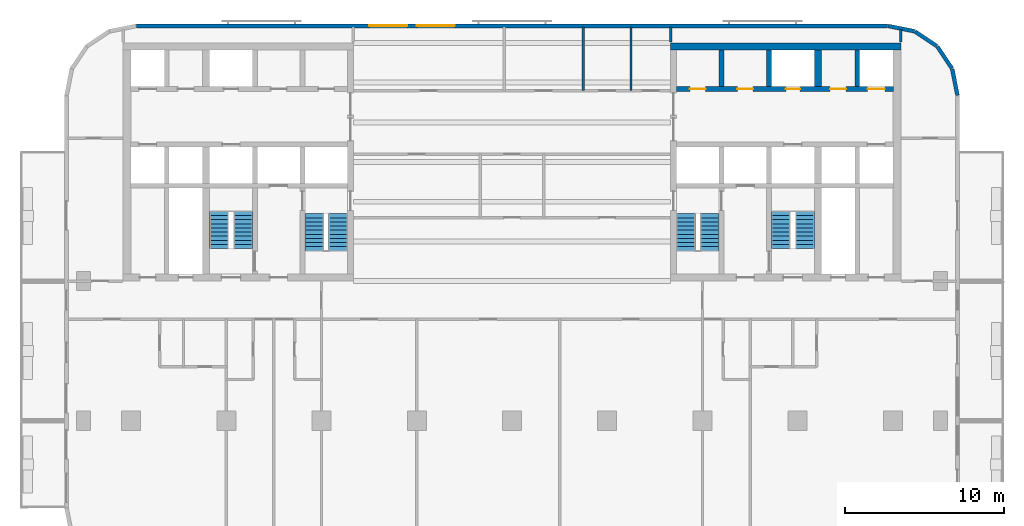
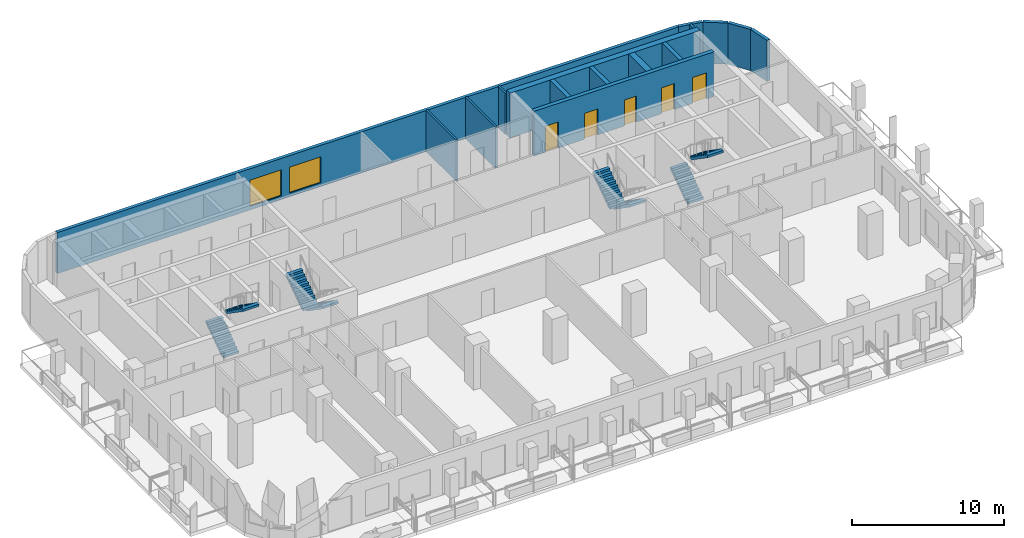
# One storey, part 7 of 11: 15 walls, 8 stair flights, 5 doors, 2 windows, 7 openings, 4 elements without a shape of their own.
"""IFC4 building model written with IfcOpenShell, lengths in metres."""

from ifc_helpers import new_model, si_unit, direction, frame, frame_2d, origin, place, context, subcontext, project, spatial, polyline, rectangle, outline, extrude, material, layer, layer_set, type_object, element, fill, aggregate, save


model = new_model("IFC4")

# Units and contexts
model_context = context("Model", 3, precision=1e-05, world=origin(), true_north=direction((0.0, 1.0)))
body_context = subcontext(model_context, "Body", "Model", "MODEL_VIEW")
ifc_project = project(units=[si_unit("LENGTHUNIT", "METRE"), si_unit("AREAUNIT", "SQUARE_METRE"), si_unit("VOLUMEUNIT", "CUBIC_METRE"), si_unit("PLANEANGLEUNIT", "RADIAN"), si_unit("MASSUNIT", "GRAM", prefix="KILO")], contexts=[model_context])

# Site, building, storey
site_placement = place(None, origin())
site = spatial("IfcSite", under=ifc_project, at=site_placement, CompositionType="ELEMENT")
building_placement = place(site_placement, origin())
building = spatial("IfcBuilding", under=site, at=building_placement, Name="Torana Hotel and Residences", CompositionType="ELEMENT")
storey_placement = place(building_placement, frame((0.0, 0.0, 141.60009765625)))
storey = spatial("IfcBuildingStorey", under=building, at=storey_placement, Name="L36", CompositionType="ELEMENT", Elevation=141.60009765625)

# Wall, openings, doors
ifc_material_1 = material(Name="Concrete C70/85", Category="concrete")
ifc_layer_1 = layer(ifc_material_1, 0.300048828125)
ifc_layer_set_1 = layer_set([ifc_layer_1], Name="CORE WALL 300 C70/85")
wall_type_1 = type_object("IfcWallType", Name="CORE WALL 300 C70/85", PredefinedType="SHEAR", material=ifc_layer_set_1)
wall_1_placement = place(storey_placement, frame((10.35009765625, -2.89990234375, 0.0), z_axis=(0.0, 0.0, 1.0), x_axis=(1.0, 0.0, 0.0)))
wall_1 = element("IfcWall", 1, at=wall_1_placement, inside=storey, type_object=wall_type_1, Name="Core wall E row-N", PredefinedType="SHEAR", context=body_context, shape_type="SweptSolid", body=[
    extrude(rectangle(XDim=13.699951171875, YDim=0.300048828125, at=frame_2d((6.85009765625, 0.0))), origin(), (0.0, 0.0, 1.0), 3.599853515625),
])
opening_1_placement = place(wall_1_placement, frame((12.050048828125, 0.0, 0.0)))
opening_1 = element("IfcOpeningElement", 2, at=opening_1_placement, cuts=wall_1, Name="Opening LD", PredefinedType="OPENING", context=body_context, shape_type="SweptSolid", body=[
    extrude(rectangle(XDim=1.10009765625, YDim=2.10009765625, at=frame_2d((0.550048828125, 1.050048828125))), frame((0.0, 0.159912109375, 0.0), z_axis=(0.0, -1.0, 0.0), x_axis=(1.0, 0.0, 0.0)), (0.0, 0.0, 1.0), 0.320068359375),
])
opening_2_placement = place(wall_1_placement, frame((6.89990234375, 0.0, 0.0)))
opening_2 = element("IfcOpeningElement", 3, at=opening_2_placement, cuts=wall_1, Name="Opening L36-21", PredefinedType="OPENING", context=body_context, shape_type="SweptSolid", body=[
    extrude(rectangle(XDim=0.89990234375, YDim=2.10009765625, at=frame_2d((0.449951171875, 1.050048828125))), frame((0.0, 0.159912109375, 0.0), z_axis=(0.0, -1.0, 0.0), x_axis=(1.0, 0.0, 0.0)), (0.0, 0.0, 1.0), 0.320068359375),
])
opening_3_placement = place(wall_1_placement, frame((0.85009765625, 0.0, 0.0)))
opening_3 = element("IfcOpeningElement", 4, at=opening_3_placement, cuts=wall_1, Name="Opening L36-22", PredefinedType="OPENING", context=body_context, shape_type="SweptSolid", body=[
    extrude(rectangle(XDim=1.0, YDim=2.10009765625, at=frame_2d((0.5, 1.050048828125))), frame((0.0, 0.159912109375, 0.0), z_axis=(0.0, -1.0, 0.0), x_axis=(1.0, 0.0, 0.0)), (0.0, 0.0, 1.0), 0.320068359375),
])
opening_4_placement = place(wall_1_placement, frame((3.85009765625, 0.0, 0.0)))
opening_4 = element("IfcOpeningElement", 5, at=opening_4_placement, cuts=wall_1, Name="Opening L36-23", PredefinedType="OPENING", context=body_context, shape_type="SweptSolid", body=[
    extrude(rectangle(XDim=1.0, YDim=2.10009765625, at=frame_2d((0.5, 1.050048828125))), frame((0.0, 0.159912109375, 0.0), z_axis=(0.0, -1.0, 0.0), x_axis=(1.0, 0.0, 0.0)), (0.0, 0.0, 1.0), 0.320068359375),
])
opening_5_placement = place(wall_1_placement, frame((9.699951171875, 0.0, 0.0)))
opening_5 = element("IfcOpeningElement", 6, at=opening_5_placement, cuts=wall_1, Name="Opening L36-24", PredefinedType="OPENING", context=body_context, shape_type="SweptSolid", body=[
    extrude(rectangle(XDim=1.0, YDim=2.10009765625, at=frame_2d((0.5, 1.050048828125))), frame((0.0, 0.159912109375, 0.0), z_axis=(0.0, -1.0, 0.0), x_axis=(1.0, 0.0, 0.0)), (0.0, 0.0, 1.0), 0.320068359375),
])
ifc_material_2 = material(Name="Steel S235", Category="steel")
door_type_1 = type_object("IfcDoorType", Name="CORE ROOM FIRE DOOR D14 1000x2100", OperationType="SINGLE_SWING_LEFT", PredefinedType="DOOR", material=ifc_material_2)
door_1_placement = place(opening_3_placement, origin())
door_1 = element("IfcDoor", 7, at=door_1_placement, inside=storey, type_object=door_type_1, Name="N0 door L36", OperationType="SINGLE_SWING_RIGHT", OverallHeight=2.10009765625, OverallWidth=1.0, PredefinedType="DOOR", context=body_context, shape_type="SweptSolid", body=[
    extrude(rectangle(XDim=1.0, YDim=2.10009765625, at=frame_2d((0.5, 1.050048828125))), frame((0.0, 0.02490234375, 0.0), z_axis=(0.0, -1.0, 0.0), x_axis=(1.0, 0.0, 0.0)), (0.0, 0.0, 1.0), 0.050048828125),
])
fill(opening_3, door_1)
door_2_placement = place(opening_4_placement, origin())
door_2 = element("IfcDoor", 8, at=door_2_placement, inside=storey, type_object=door_type_1, Name="N1 door L36", OperationType="SINGLE_SWING_RIGHT", OverallHeight=2.10009765625, OverallWidth=1.0, PredefinedType="DOOR", context=body_context, shape_type="SweptSolid", body=[
    extrude(rectangle(XDim=1.0, YDim=2.10009765625, at=frame_2d((0.5, 1.050048828125))), frame((0.0, 0.02490234375, 0.0), z_axis=(0.0, -1.0, 0.0), x_axis=(1.0, 0.0, 0.0)), (0.0, 0.0, 1.0), 0.050048828125),
])
fill(opening_4, door_2)
door_3_placement = place(opening_5_placement, origin())
door_3 = element("IfcDoor", 9, at=door_3_placement, inside=storey, type_object=door_type_1, Name="Freed-S2 door L36", OperationType="SINGLE_SWING_RIGHT", OverallHeight=2.10009765625, OverallWidth=1.0, PredefinedType="DOOR", context=body_context, shape_type="SweptSolid", body=[
    extrude(rectangle(XDim=1.0, YDim=2.10009765625, at=frame_2d((0.5, 1.050048828125))), frame((0.0, 0.02490234375, 0.0), z_axis=(0.0, -1.0, 0.0), x_axis=(1.0, 0.0, 0.0)), (0.0, 0.0, 1.0), 0.050048828125),
])
fill(opening_5, door_3)
ifc_material_3 = material(Name="Stainless steel 316", Category="steel")
door_type_2 = type_object("IfcDoorType", Name="LIFT LANDING DOOR LD 1100x2100", OperationType="DOUBLE_DOOR_SLIDING", PredefinedType="USERDEFINED", material=ifc_material_3)
door_4_placement = place(opening_1_placement, origin())
door_4 = element("IfcDoor", 10, at=door_4_placement, inside=storey, type_object=door_type_2, Name="Lift landing door M3 L36", ObjectType="LIFT LANDING DOOR", OperationType="DOUBLE_DOOR_SLIDING", OverallHeight=2.10009765625, OverallWidth=1.10009765625, PredefinedType="USERDEFINED", context=body_context, shape_type="SweptSolid", body=[
    extrude(rectangle(XDim=1.10009765625, YDim=2.10009765625, at=frame_2d((0.550048828125, 1.050048828125))), frame((0.0, 0.02490234375, 0.0), z_axis=(0.0, -1.0, 0.0), x_axis=(1.0, 0.0, 0.0)), (0.0, 0.0, 1.0), 0.050048828125),
])
fill(opening_1, door_4)
ifc_material_4 = material(Name="Steel S235", Category="steel")
door_type_3 = type_object("IfcDoorType", Name="RISER ACCESS DOOR D5 900x2100", OperationType="SINGLE_SWING_LEFT", PredefinedType="DOOR", material=ifc_material_4)
door_5_placement = place(opening_2_placement, origin())
door_5 = element("IfcDoor", 11, at=door_5_placement, inside=storey, type_object=door_type_3, Name="N2 door L36", OperationType="SINGLE_SWING_RIGHT", OverallHeight=2.10009765625, OverallWidth=0.89990234375, PredefinedType="DOOR", context=body_context, shape_type="SweptSolid", body=[
    extrude(rectangle(XDim=0.89990234375, YDim=2.10009765625, at=frame_2d((0.449951171875, 1.050048828125))), frame((0.0, 0.02490234375, 0.0), z_axis=(0.0, -1.0, 0.0), x_axis=(1.0, 0.0, 0.0)), (0.0, 0.0, 1.0), 0.050048828125),
])
fill(opening_2, door_5)

# Walls
for number, where, z_axis, x_axis, name in (
    (12, (13.199951171875, -2.75, 0.0), (0.0, 0.0, 1.0), (0.0, 1.0, 0.0), "Core wall E x3.05-N"),
    (13, (16.199951171875, -2.75, 0.0), (0.0, 0.0, 1.0), (0.0, 1.0, 0.0), "Core wall E x6.05-N"),
    (14, (21.75, -2.75, 0.0), (0.0, 0.0, 1.0), (0.0, 1.0, 0.0), "Core wall E mm-N"),
):
    element("IfcWall", number, at=place(storey_placement, frame(where, z_axis=z_axis, x_axis=x_axis)), inside=storey, type_object=wall_type_1, Name=name, PredefinedType="SHEAR", context=body_context, shape_type="SweptSolid", body=[
        extrude(rectangle(XDim=2.300048828125, YDim=0.300048828125, at=frame_2d((1.14990234375, 0.0))), origin(), (0.0, 0.0, 1.0), 3.599853515625),
    ])
ifc_material_5 = material(Name="Concrete C70/85", Category="concrete")
ifc_layer_2 = layer(ifc_material_5, 0.449951171875)
ifc_layer_set_2 = layer_set([ifc_layer_2], Name="CORE WALL 450 C70/85")
wall_type_2 = type_object("IfcWallType", Name="CORE WALL 450 C70/85", PredefinedType="SHEAR", material=ifc_layer_set_2)
wall_2_placement = place(storey_placement, frame((10.0, -0.22509765625, 0.0), z_axis=(0.0, 0.0, 1.0), x_axis=(1.0, 0.0, 0.0)))
element("IfcWall", 15, at=wall_2_placement, inside=storey, type_object=wall_type_2, Name="Core wall E rear", PredefinedType="SHEAR", context=body_context, shape_type="SweptSolid", body=[
    extrude(rectangle(XDim=14.5, YDim=0.449951171875, at=frame_2d((7.25, 0.0))), origin(), (0.0, 0.0, 1.0), 3.599853515625),
])
wall_3_placement = place(storey_placement, frame((19.27490234375, -2.75, 0.0), z_axis=(0.0, 0.0, 1.0), x_axis=(0.0, 1.0, 0.0)))
element("IfcWall", 16, at=wall_3_placement, inside=storey, type_object=wall_type_2, Name="Core wall E hm-N", PredefinedType="SHEAR", context=body_context, shape_type="SweptSolid", body=[
    extrude(rectangle(XDim=2.300048828125, YDim=0.449951171875, at=frame_2d((1.14990234375, 0.0))), origin(), (0.0, 0.0, 1.0), 3.599853515625),
])
ifc_material_6 = material(Name="Black aluminium composite panel", Category="aluminium")
ifc_layer_3 = layer(ifc_material_6, 0.00390625, Name="Cladding", Category="cladding")
ifc_material_7 = material(Name="Ventilated air cavity")
ifc_layer_4 = layer(ifc_material_7, 0.0400390625, Name="Ventilated cavity", Category="cavity")
ifc_material_8 = material(Name="Mineral wool insulation")
ifc_layer_5 = layer(ifc_material_8, 0.090087890625, Name="Insulation", Category="insulation")
ifc_material_9 = material(Name="Steel S280GD", Category="steel")
ifc_layer_6 = layer(ifc_material_9, 0.092041015625, Name="Steel stud frame", Category="structure")
ifc_material_10 = material(Name="Fire rated plasterboard")
ifc_layer_7 = layer(ifc_material_10, 0.011962890625, Name="Inner board", Category="finish")
ifc_layer_8 = layer(ifc_material_10, 0.011962890625, Name="Second board", Category="finish")
ifc_layer_set_3 = layer_set([ifc_layer_3, ifc_layer_4, ifc_layer_5, ifc_layer_6, ifc_layer_7, ifc_layer_8], Name="EW1 EXTERNAL WALL BLACK METAL CLAD 250")
wall_type_3 = type_object("IfcWallType", Name="EW1 EXTERNAL WALL BLACK METAL CLAD 250", PredefinedType="SOLIDWALL", material=ifc_layer_set_3)
wall_4_placement = place(storey_placement, frame((28.072509765625, -3.30029296875, 0.0), z_axis=(0.0, 0.0, 1.0), x_axis=(-0.194999110559, 0.980803419081, 0.0)))
element("IfcWall", 17, at=wall_4_placement, inside=storey, type_object=wall_type_3, Name="External wall L36 e0.0", PredefinedType="SOLIDWALL", context=body_context, shape_type="SweptSolid", body=[
    extrude(rectangle(XDim=1.681396484375, YDim=0.25, at=frame_2d((0.8408203125, 0.0))), origin(), (0.0, 0.0, 1.0), 3.31982421875),
])
for number, where, z_axis, x_axis, name in (
    (18, (27.725830078125, -1.60595703125, 0.0), (0.0, 0.0, 1.0), (-0.55555029066, 0.831482937015, 0.0), "External wall L36 e0.1"),
    (19, (26.771240234375, -0.1943359375, 0.0), (0.0, 0.0, 1.0), (-0.831482937015, 0.55555029066, 0.0), "External wall L36 e0.2"),
):
    element("IfcWall", number, at=place(storey_placement, frame(where, z_axis=z_axis, x_axis=x_axis)), inside=storey, type_object=wall_type_3, Name=name, PredefinedType="SOLIDWALL", context=body_context, shape_type="SweptSolid", body=[
        extrude(rectangle(XDim=1.65625, YDim=0.25, at=frame_2d((0.828125, 0.0))), origin(), (0.0, 0.0, 1.0), 3.31982421875),
    ])
wall_5_placement = place(storey_placement, frame((25.348876953125, 0.74462890625, 0.0), z_axis=(0.0, 0.0, 1.0), x_axis=(-0.980803419081, 0.194999110559, 0.0)))
element("IfcWall", 20, at=wall_5_placement, inside=storey, type_object=wall_type_3, Name="External wall L36 e0.3", PredefinedType="SOLIDWALL", context=body_context, shape_type="SweptSolid", body=[
    extrude(rectangle(XDim=1.681396484375, YDim=0.25, at=frame_2d((0.8408203125, 0.0))), origin(), (0.0, 0.0, 1.0), 3.31982421875),
])

# Wall, openings, windows
ifc_material_11 = material(Name="Concrete C40/50 precast", Category="concrete")
ifc_layer_9 = layer(ifc_material_11, 0.10009765625, Name="Perforated block", Category="cladding")
ifc_material_12 = material(Name="Air cavity")
ifc_layer_10 = layer(ifc_material_12, 0.030029296875, Name="Cavity", Category="cavity")
ifc_material_13 = material(Name="Concrete C40/50", Category="concrete")
ifc_layer_11 = layer(ifc_material_13, 0.10009765625, Name="Wall", Category="structure")
ifc_material_14 = material(Name="Plaster and paint")
ifc_layer_12 = layer(ifc_material_14, 0.02001953125, Name="Inner finish", Category="finish")
ifc_layer_set_4 = layer_set([ifc_layer_9, ifc_layer_10, ifc_layer_11, ifc_layer_12], Name="EW2 PERFORATED BLOCK SCREEN WALL 250")
wall_type_4 = type_object("IfcWallType", Name="EW2 PERFORATED BLOCK SCREEN WALL 250", PredefinedType="SOLIDWALL", material=ifc_layer_set_4)
wall_6_placement = place(storey_placement, frame((23.67529296875, 1.074951171875, 0.0), z_axis=(0.0, 0.0, 1.0), x_axis=(-1.0, 0.0, 0.0)))
wall_6 = element("IfcWall", 21, at=wall_6_placement, inside=storey, type_object=wall_type_4, Name="External wall L36 e0.4", PredefinedType="SOLIDWALL", context=body_context, shape_type="SweptSolid", body=[
    extrude(rectangle(XDim=47.3505859375, YDim=0.25, at=frame_2d((23.67529296875, 0.0))), origin(), (0.0, 0.0, 1.0), 3.31982421875),
])
opening_6_placement = place(wall_6_placement, frame((27.275390625, 0.0, 0.300048828125)))
opening_6 = element("IfcOpeningElement", 22, at=opening_6_placement, cuts=wall_6, Name="Opening W1", PredefinedType="OPENING", context=body_context, shape_type="SweptSolid", body=[
    extrude(rectangle(XDim=2.39990234375, YDim=2.10009765625, at=frame_2d((1.199951171875, 1.050048828125))), frame((0.0, 0.135009765625, 0.0), z_axis=(0.0, -1.0, 0.0), x_axis=(1.0, 0.0, 0.0)), (0.0, 0.0, 1.0), 0.27001953125),
])
opening_7_placement = place(wall_6_placement, frame((30.275390625, 0.0, 0.300048828125)))
opening_7 = element("IfcOpeningElement", 23, at=opening_7_placement, cuts=wall_6, Name="Opening W1", PredefinedType="OPENING", context=body_context, shape_type="SweptSolid", body=[
    extrude(rectangle(XDim=2.39990234375, YDim=2.10009765625, at=frame_2d((1.199951171875, 1.050048828125))), frame((0.0, 0.135009765625, 0.0), z_axis=(0.0, -1.0, 0.0), x_axis=(1.0, 0.0, 0.0)), (0.0, 0.0, 1.0), 0.27001953125),
])
ifc_material_15 = material(Name="Dark glass in black aluminium frame", Category="aluminium")
window_type = type_object("IfcWindowType", Name="W1 HOTEL ROOM WINDOW 2400x2100", PartitioningType="SINGLE_PANEL", PredefinedType="WINDOW", material=ifc_material_15)
window_1_placement = place(opening_6_placement, origin())
window_1 = element("IfcWindow", 24, at=window_1_placement, inside=storey, type_object=window_type, Name="Window L36", OverallHeight=2.10009765625, OverallWidth=2.39990234375, PartitioningType="SINGLE_PANEL", PredefinedType="WINDOW", context=body_context, shape_type="SweptSolid", body=[
    extrude(rectangle(XDim=2.39990234375, YDim=2.10009765625, at=frame_2d((1.199951171875, 1.050048828125))), frame((0.0, 0.030029296875, 0.0), z_axis=(0.0, -1.0, 0.0), x_axis=(1.0, 0.0, 0.0)), (0.0, 0.0, 1.0), 0.06005859375),
])
fill(opening_6, window_1)
window_2_placement = place(opening_7_placement, origin())
window_2 = element("IfcWindow", 25, at=window_2_placement, inside=storey, type_object=window_type, Name="Window L36", OverallHeight=2.10009765625, OverallWidth=2.39990234375, PartitioningType="SINGLE_PANEL", PredefinedType="WINDOW", context=body_context, shape_type="SweptSolid", body=[
    extrude(rectangle(XDim=2.39990234375, YDim=2.10009765625, at=frame_2d((1.199951171875, 1.050048828125))), frame((0.0, 0.030029296875, 0.0), z_axis=(0.0, -1.0, 0.0), x_axis=(1.0, 0.0, 0.0)), (0.0, 0.0, 1.0), 0.06005859375),
])
fill(opening_7, window_2)

# Walls
ifc_material_16 = material(Name="Gypsum plasterboard")
ifc_layer_13 = layer(ifc_material_16, 0.012451171875, Name="Plasterboard", Category="finish")
ifc_layer_14 = layer(ifc_material_16, 0.012451171875, Name="Plasterboard", Category="finish")
ifc_layer_15 = layer(ifc_material_9, 0.10009765625, Name="Steel studs with mineral wool", Category="insulation")
ifc_layer_16 = layer(ifc_material_16, 0.012451171875, Name="Plasterboard", Category="finish")
ifc_layer_17 = layer(ifc_material_16, 0.012451171875, Name="Plasterboard", Category="finish")
ifc_layer_set_5 = layer_set([ifc_layer_13, ifc_layer_14, ifc_layer_15, ifc_layer_16, ifc_layer_17], Name="PARTITION 150 PLASTERBOARD")
wall_type_5 = type_object("IfcWallType", Name="PARTITION 150 PLASTERBOARD", PredefinedType="PARTITIONING", material=ifc_layer_set_5)
wall_7_placement = place(storey_placement, frame((24.5, 0.050048828125, 0.0), z_axis=(0.0, 0.0, 1.0), x_axis=(0.0, 1.0, 0.0)))
element("IfcWall", 26, at=wall_7_placement, inside=storey, type_object=wall_type_5, Name="Partition L36", PredefinedType="PARTITIONING", context=body_context, shape_type="SweptSolid", body=[
    extrude(rectangle(XDim=0.807373046875, YDim=0.14990234375, at=frame_2d((0.40380859375, 0.0))), origin(), (0.0, 0.0, 1.0), 3.31982421875),
])
ifc_material_17 = material(Name="Ceramic tile on adhesive")
ifc_layer_18 = layer(ifc_material_17, 0.010009765625, Name="Wall tile", Category="finish")
ifc_material_18 = material(Name="Cement render")
ifc_layer_19 = layer(ifc_material_18, 0.010009765625, Name="Render", Category="finish")
ifc_material_19 = material(Name="Concrete blockwork", Category="masonry")
ifc_layer_20 = layer(ifc_material_19, 0.110107421875, Name="Blockwork", Category="structure")
ifc_layer_21 = layer(ifc_material_18, 0.010009765625, Name="Render", Category="finish")
ifc_layer_22 = layer(ifc_material_17, 0.010009765625, Name="Wall tile", Category="finish")
ifc_layer_set_6 = layer_set([ifc_layer_18, ifc_layer_19, ifc_layer_20, ifc_layer_21, ifc_layer_22], Name="WC PARTITION 150")
wall_type_6 = type_object("IfcWallType", Name="WC PARTITION 150", PredefinedType="PLUMBINGWALL", material=ifc_layer_set_6)
wall_8_placement = place(storey_placement, frame((10.0, 0.050048828125, 0.0), z_axis=(0.0, 0.0, 1.0), x_axis=(0.0, 1.0, 0.0)))
element("IfcWall", 27, at=wall_8_placement, inside=storey, type_object=wall_type_6, Name="Partition L36", PredefinedType="PLUMBINGWALL", context=body_context, shape_type="SweptSolid", body=[
    extrude(rectangle(XDim=0.969970703125, YDim=0.14990234375, at=frame_2d((0.48486328125, 0.0))), origin(), (0.0, 0.0, 1.0), 3.31982421875),
])
for number, where, z_axis, x_axis, name in (
    (28, (7.5, -3.0, 0.0), (0.0, 0.0, 1.0), (0.0, 1.0, 0.0), "Partition L36"),
    (29, (4.5, -3.0, 0.0), (0.0, 0.0, 1.0), (0.0, 1.0, 0.0), "Partition L36"),
):
    element("IfcWall", number, at=place(storey_placement, frame(where, z_axis=z_axis, x_axis=x_axis)), inside=storey, type_object=wall_type_6, Name=name, PredefinedType="PLUMBINGWALL", context=body_context, shape_type="SweptSolid", body=[
        extrude(rectangle(XDim=4.02001953125, YDim=0.14990234375, at=frame_2d((2.010009765625, 0.0))), origin(), (0.0, 0.0, 1.0), 3.31982421875),
    ])

# Stair, stair flights
ifc_material_20 = material(Name="Concrete C40/50 precast", Category="concrete")
stair_type_1 = type_object("IfcStairType", Name="STAIR ST1 HALF TURN 1200", PredefinedType="HALF_TURN_STAIR", material=ifc_material_20)
stair_1_placement = place(storey_placement, origin())
stair_1 = element("IfcStair", 30, at=stair_1_placement, inside=storey, type_object=stair_type_1, Name="Stair ST1 L36", PredefinedType="HALF_TURN_STAIR")
ifc_material_21 = material(Name="Concrete C40/50 precast", Category="concrete")
stair_flight_type = type_object("IfcStairFlightType", Name="STAIR FLIGHT 1200 PRECAST", PredefinedType="STRAIGHT", material=ifc_material_21)
stair_flight_1_placement = place(storey_placement, frame((-10.949951171875, -10.75, 0.0), z_axis=(0.0, 0.0, 1.0), x_axis=(0.0, -1.0, 0.0)))
stair_flight_1 = element("IfcStairFlight", 31, at=stair_flight_1_placement, type_object=stair_flight_type, Name="ST1 flight 1", NumberOfRisers=10, NumberOfTreads=9, PredefinedType="STRAIGHT", RiserHeight=0.18, TreadLength=0.26, context=body_context, shape_type="SweptSolid", body=[
    extrude(outline(polyline([(0.0, 0.0), (0.0, 0.179931640625), (0.260009765625, 0.179931640625), (0.260009765625, 0.360107421875), (0.52001953125, 0.360107421875), (0.52001953125, 0.5400390625), (0.780029296875, 0.5400390625), (0.780029296875, 0.719970703125), (1.0400390625, 0.719970703125), (1.0400390625, 0.89990234375), (1.300048828125, 0.89990234375), (1.300048828125, 1.080078125), (1.56005859375, 1.080078125), (1.56005859375, 1.260009765625), (1.820068359375, 1.260009765625), (1.820068359375, 1.43994140625), (2.080078125, 1.43994140625), (2.080078125, 1.6201171875), (2.340087890625, 1.6201171875), (2.340087890625, 1.800048828125), (2.340087890625, 1.437744140625), (0.263427734375, 0.0), (0.0, 0.0)])), frame((0.0, 0.60009765625, 0.0), z_axis=(0.0, -1.0, 0.0), x_axis=(1.0, 0.0, 0.0)), (0.0, 0.0, 1.0), 1.199951171875),
])
stair_flight_2_placement = place(storey_placement, frame((-12.449951171875, -13.090087890625, 1.7998046875), z_axis=(0.0, 0.0, 1.0), x_axis=(0.0, 1.0, 0.0)))
stair_flight_2 = element("IfcStairFlight", 32, at=stair_flight_2_placement, type_object=stair_flight_type, Name="ST1 flight 2", NumberOfRisers=10, NumberOfTreads=9, PredefinedType="STRAIGHT", RiserHeight=0.18, TreadLength=0.26, context=body_context, shape_type="SweptSolid", body=[
    extrude(outline(polyline([(0.0, 0.0), (0.0, 0.179931640625), (0.260009765625, 0.179931640625), (0.260009765625, 0.360107421875), (0.52001953125, 0.360107421875), (0.52001953125, 0.5400390625), (0.780029296875, 0.5400390625), (0.780029296875, 0.719970703125), (1.0400390625, 0.719970703125), (1.0400390625, 0.89990234375), (1.300048828125, 0.89990234375), (1.300048828125, 1.080078125), (1.56005859375, 1.080078125), (1.56005859375, 1.260009765625), (1.820068359375, 1.260009765625), (1.820068359375, 1.43994140625), (2.080078125, 1.43994140625), (2.080078125, 1.6201171875), (2.340087890625, 1.6201171875), (2.340087890625, 1.800048828125), (2.340087890625, 1.437744140625), (0.263427734375, 0.0), (0.0, 0.0)])), frame((0.0, 0.60009765625, 0.0), z_axis=(0.0, -1.0, 0.0), x_axis=(1.0, 0.0, 0.0)), (0.0, 0.0, 1.0), 1.199951171875),
])
aggregate(stair_1, [stair_flight_1, stair_flight_2])

ifc_material_22 = material(Name="Concrete C40/50 precast", Category="concrete")
stair_type_2 = type_object("IfcStairType", Name="STAIR ST2 HALF TURN 1200", PredefinedType="HALF_TURN_STAIR", material=ifc_material_22)
stair_2_placement = place(storey_placement, origin())
stair_2 = element("IfcStair", 33, at=stair_2_placement, inside=storey, type_object=stair_type_2, Name="Stair ST2 L36", PredefinedType="HALF_TURN_STAIR")
stair_flight_3_placement = place(storey_placement, frame((-18.449951171875, -12.949951171875, 0.0), z_axis=(0.0, 0.0, 1.0), x_axis=(0.0, 1.0, 0.0)))
stair_flight_3 = element("IfcStairFlight", 34, at=stair_flight_3_placement, type_object=stair_flight_type, Name="ST2 flight 1", NumberOfRisers=10, NumberOfTreads=9, PredefinedType="STRAIGHT", RiserHeight=0.18, TreadLength=0.26, context=body_context, shape_type="SweptSolid", body=[
    extrude(outline(polyline([(0.0, 0.0), (0.0, 0.179931640625), (0.260009765625, 0.179931640625), (0.260009765625, 0.360107421875), (0.52001953125, 0.360107421875), (0.52001953125, 0.5400390625), (0.780029296875, 0.5400390625), (0.780029296875, 0.719970703125), (1.0400390625, 0.719970703125), (1.0400390625, 0.89990234375), (1.300048828125, 0.89990234375), (1.300048828125, 1.080078125), (1.56005859375, 1.080078125), (1.56005859375, 1.260009765625), (1.820068359375, 1.260009765625), (1.820068359375, 1.43994140625), (2.080078125, 1.43994140625), (2.080078125, 1.6201171875), (2.340087890625, 1.6201171875), (2.340087890625, 1.800048828125), (2.340087890625, 1.437744140625), (0.263427734375, 0.0), (0.0, 0.0)])), frame((0.0, 0.60009765625, 0.0), z_axis=(0.0, -1.0, 0.0), x_axis=(1.0, 0.0, 0.0)), (0.0, 0.0, 1.0), 1.199951171875),
])
stair_flight_4_placement = place(storey_placement, frame((-16.949951171875, -10.610107421875, 1.7998046875), z_axis=(0.0, 0.0, 1.0), x_axis=(0.0, -1.0, 0.0)))
stair_flight_4 = element("IfcStairFlight", 35, at=stair_flight_4_placement, type_object=stair_flight_type, Name="ST2 flight 2", NumberOfRisers=10, NumberOfTreads=9, PredefinedType="STRAIGHT", RiserHeight=0.18, TreadLength=0.26, context=body_context, shape_type="SweptSolid", body=[
    extrude(outline(polyline([(0.0, 0.0), (0.0, 0.179931640625), (0.260009765625, 0.179931640625), (0.260009765625, 0.360107421875), (0.52001953125, 0.360107421875), (0.52001953125, 0.5400390625), (0.780029296875, 0.5400390625), (0.780029296875, 0.719970703125), (1.0400390625, 0.719970703125), (1.0400390625, 0.89990234375), (1.300048828125, 0.89990234375), (1.300048828125, 1.080078125), (1.56005859375, 1.080078125), (1.56005859375, 1.260009765625), (1.820068359375, 1.260009765625), (1.820068359375, 1.43994140625), (2.080078125, 1.43994140625), (2.080078125, 1.6201171875), (2.340087890625, 1.6201171875), (2.340087890625, 1.800048828125), (2.340087890625, 1.437744140625), (0.263427734375, 0.0), (0.0, 0.0)])), frame((0.0, 0.60009765625, 0.0), z_axis=(0.0, -1.0, 0.0), x_axis=(1.0, 0.0, 0.0)), (0.0, 0.0, 1.0), 1.199951171875),
])
aggregate(stair_2, [stair_flight_3, stair_flight_4])

ifc_material_23 = material(Name="Concrete C40/50 precast", Category="concrete")
stair_type_3 = type_object("IfcStairType", Name="STAIR ST3 HALF TURN 1200", PredefinedType="HALF_TURN_STAIR", material=ifc_material_23)
stair_3_placement = place(storey_placement, origin())
stair_3 = element("IfcStair", 36, at=stair_3_placement, inside=storey, type_object=stair_type_3, Name="Stair ST3 L36", PredefinedType="HALF_TURN_STAIR")
stair_flight_5_placement = place(storey_placement, frame((12.449951171875, -10.75, 0.0), z_axis=(0.0, 0.0, 1.0), x_axis=(0.0, -1.0, 0.0)))
stair_flight_5 = element("IfcStairFlight", 37, at=stair_flight_5_placement, type_object=stair_flight_type, Name="ST3 flight 1", NumberOfRisers=10, NumberOfTreads=9, PredefinedType="STRAIGHT", RiserHeight=0.18, TreadLength=0.26, context=body_context, shape_type="SweptSolid", body=[
    extrude(outline(polyline([(0.0, 0.0), (0.0, 0.179931640625), (0.260009765625, 0.179931640625), (0.260009765625, 0.360107421875), (0.52001953125, 0.360107421875), (0.52001953125, 0.5400390625), (0.780029296875, 0.5400390625), (0.780029296875, 0.719970703125), (1.0400390625, 0.719970703125), (1.0400390625, 0.89990234375), (1.300048828125, 0.89990234375), (1.300048828125, 1.080078125), (1.56005859375, 1.080078125), (1.56005859375, 1.260009765625), (1.820068359375, 1.260009765625), (1.820068359375, 1.43994140625), (2.080078125, 1.43994140625), (2.080078125, 1.6201171875), (2.340087890625, 1.6201171875), (2.340087890625, 1.800048828125), (2.340087890625, 1.437744140625), (0.263427734375, 0.0), (0.0, 0.0)])), frame((0.0, 0.60009765625, 0.0), z_axis=(0.0, -1.0, 0.0), x_axis=(1.0, 0.0, 0.0)), (0.0, 0.0, 1.0), 1.199951171875),
])
stair_flight_6_placement = place(storey_placement, frame((10.949951171875, -13.090087890625, 1.7998046875), z_axis=(0.0, 0.0, 1.0), x_axis=(0.0, 1.0, 0.0)))
stair_flight_6 = element("IfcStairFlight", 38, at=stair_flight_6_placement, type_object=stair_flight_type, Name="ST3 flight 2", NumberOfRisers=10, NumberOfTreads=9, PredefinedType="STRAIGHT", RiserHeight=0.18, TreadLength=0.26, context=body_context, shape_type="SweptSolid", body=[
    extrude(outline(polyline([(0.0, 0.0), (0.0, 0.179931640625), (0.260009765625, 0.179931640625), (0.260009765625, 0.360107421875), (0.52001953125, 0.360107421875), (0.52001953125, 0.5400390625), (0.780029296875, 0.5400390625), (0.780029296875, 0.719970703125), (1.0400390625, 0.719970703125), (1.0400390625, 0.89990234375), (1.300048828125, 0.89990234375), (1.300048828125, 1.080078125), (1.56005859375, 1.080078125), (1.56005859375, 1.260009765625), (1.820068359375, 1.260009765625), (1.820068359375, 1.43994140625), (2.080078125, 1.43994140625), (2.080078125, 1.6201171875), (2.340087890625, 1.6201171875), (2.340087890625, 1.800048828125), (2.340087890625, 1.437744140625), (0.263427734375, 0.0), (0.0, 0.0)])), frame((0.0, 0.60009765625, 0.0), z_axis=(0.0, -1.0, 0.0), x_axis=(1.0, 0.0, 0.0)), (0.0, 0.0, 1.0), 1.199951171875),
])
aggregate(stair_3, [stair_flight_5, stair_flight_6])

ifc_material_24 = material(Name="Concrete C40/50 precast", Category="concrete")
stair_type_4 = type_object("IfcStairType", Name="STAIR ST4 HALF TURN 1200", PredefinedType="HALF_TURN_STAIR", material=ifc_material_24)
stair_4_placement = place(storey_placement, origin())
stair_4 = element("IfcStair", 39, at=stair_4_placement, inside=storey, type_object=stair_type_4, Name="Stair ST4 L36", PredefinedType="HALF_TURN_STAIR")
stair_flight_7_placement = place(storey_placement, frame((16.949951171875, -12.949951171875, 0.0), z_axis=(0.0, 0.0, 1.0), x_axis=(0.0, 1.0, 0.0)))
stair_flight_7 = element("IfcStairFlight", 40, at=stair_flight_7_placement, type_object=stair_flight_type, Name="ST4 flight 1", NumberOfRisers=10, NumberOfTreads=9, PredefinedType="STRAIGHT", RiserHeight=0.18, TreadLength=0.26, context=body_context, shape_type="SweptSolid", body=[
    extrude(outline(polyline([(0.0, 0.0), (0.0, 0.179931640625), (0.260009765625, 0.179931640625), (0.260009765625, 0.360107421875), (0.52001953125, 0.360107421875), (0.52001953125, 0.5400390625), (0.780029296875, 0.5400390625), (0.780029296875, 0.719970703125), (1.0400390625, 0.719970703125), (1.0400390625, 0.89990234375), (1.300048828125, 0.89990234375), (1.300048828125, 1.080078125), (1.56005859375, 1.080078125), (1.56005859375, 1.260009765625), (1.820068359375, 1.260009765625), (1.820068359375, 1.43994140625), (2.080078125, 1.43994140625), (2.080078125, 1.6201171875), (2.340087890625, 1.6201171875), (2.340087890625, 1.800048828125), (2.340087890625, 1.437744140625), (0.263427734375, 0.0), (0.0, 0.0)])), frame((0.0, 0.60009765625, 0.0), z_axis=(0.0, -1.0, 0.0), x_axis=(1.0, 0.0, 0.0)), (0.0, 0.0, 1.0), 1.199951171875),
])
stair_flight_8_placement = place(storey_placement, frame((18.449951171875, -10.610107421875, 1.7998046875), z_axis=(0.0, 0.0, 1.0), x_axis=(0.0, -1.0, 0.0)))
stair_flight_8 = element("IfcStairFlight", 41, at=stair_flight_8_placement, type_object=stair_flight_type, Name="ST4 flight 2", NumberOfRisers=10, NumberOfTreads=9, PredefinedType="STRAIGHT", RiserHeight=0.18, TreadLength=0.26, context=body_context, shape_type="SweptSolid", body=[
    extrude(outline(polyline([(0.0, 0.0), (0.0, 0.179931640625), (0.260009765625, 0.179931640625), (0.260009765625, 0.360107421875), (0.52001953125, 0.360107421875), (0.52001953125, 0.5400390625), (0.780029296875, 0.5400390625), (0.780029296875, 0.719970703125), (1.0400390625, 0.719970703125), (1.0400390625, 0.89990234375), (1.300048828125, 0.89990234375), (1.300048828125, 1.080078125), (1.56005859375, 1.080078125), (1.56005859375, 1.260009765625), (1.820068359375, 1.260009765625), (1.820068359375, 1.43994140625), (2.080078125, 1.43994140625), (2.080078125, 1.6201171875), (2.340087890625, 1.6201171875), (2.340087890625, 1.800048828125), (2.340087890625, 1.437744140625), (0.263427734375, 0.0), (0.0, 0.0)])), frame((0.0, 0.60009765625, 0.0), z_axis=(0.0, -1.0, 0.0), x_axis=(1.0, 0.0, 0.0)), (0.0, 0.0, 1.0), 1.199951171875),
])
aggregate(stair_4, [stair_flight_7, stair_flight_8])

save(model, "model.ifc")
